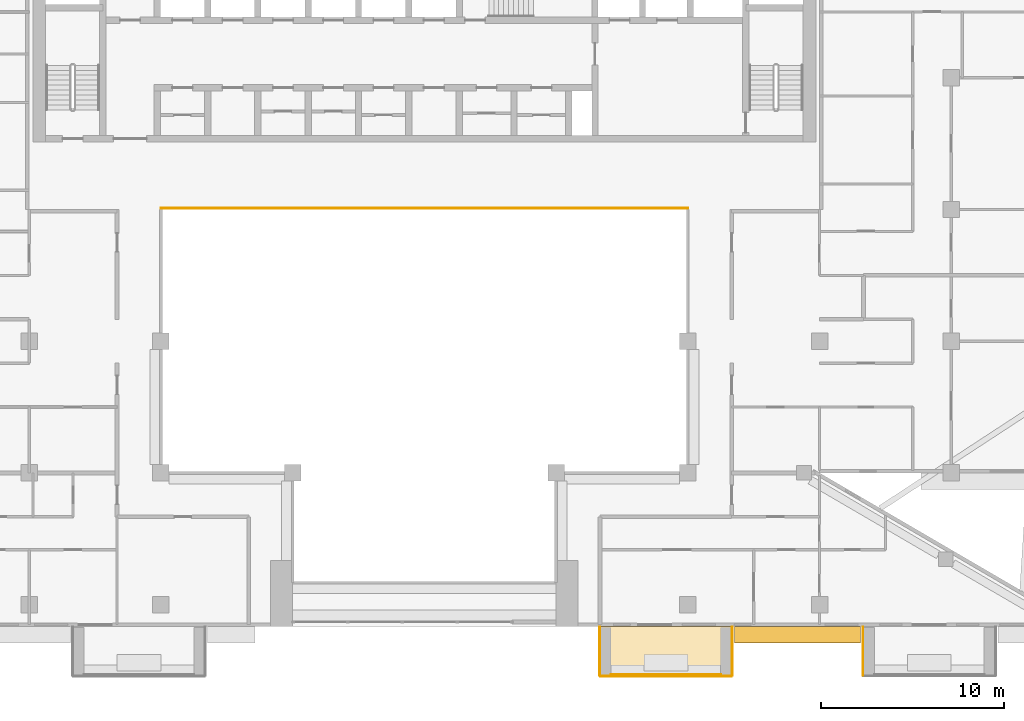
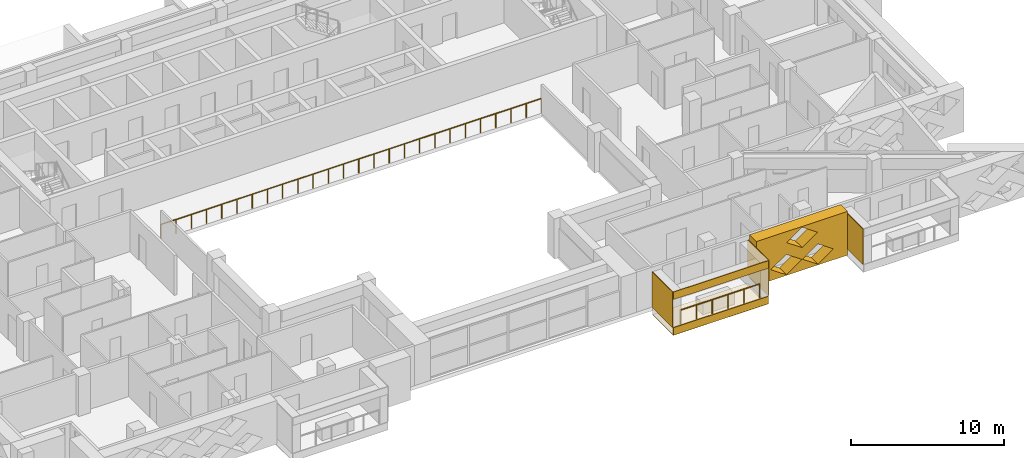
# One storey, part 16 of 20: 7 coverings, 2 railings.
"""IFC4 building model written with IfcOpenShell, lengths in metres."""

from ifc_helpers import new_model, si_unit, direction, frame, origin, origin_2d, place, context, subcontext, project, spatial, polyline, circle, outline, extrude, material, layer, layer_set, type_object, element, save


model = new_model("IFC4")

# Units and contexts
model_context = context("Model", 3, precision=1e-05, world=origin(), true_north=direction((0.0, 1.0)))
body_context = subcontext(model_context, "Body", "Model", "MODEL_VIEW")
ifc_project = project(units=[si_unit("LENGTHUNIT", "METRE"), si_unit("AREAUNIT", "SQUARE_METRE"), si_unit("VOLUMEUNIT", "CUBIC_METRE"), si_unit("PLANEANGLEUNIT", "RADIAN"), si_unit("MASSUNIT", "GRAM", prefix="KILO")], contexts=[model_context])

# Site, building, storey
site_placement = place(None, origin())
site = spatial("IfcSite", under=ifc_project, at=site_placement, CompositionType="ELEMENT")
building_placement = place(site_placement, origin())
building = spatial("IfcBuilding", under=site, at=building_placement, Name="Saffron Iwan Residences", CompositionType="ELEMENT")
storey_placement = place(building_placement, frame((0.0, 0.0, 174.5)))
storey = spatial("IfcBuildingStorey", under=building, at=storey_placement, Name="L46", CompositionType="ELEMENT", Elevation=174.5)

# Railings
ifc_material_1 = material(Name="Stainless steel 316", Category="steel")
railing_type_1 = type_object("IfcRailingType", Name="Atrium guard 1150", PredefinedType="GUARDRAIL", material=ifc_material_1)
railing_1_placement = place(storey_placement, frame((36.0, 62.47509765625, 0.0)))
element("IfcRailing", 1, at=railing_1_placement, inside=storey, type_object=railing_type_1, Name="Atrium guard L46", PredefinedType="GUARDRAIL", context=body_context, shape_type="SweptSolid", body=[
    extrude(circle(Radius=0.02392578125, at=origin_2d()), frame((0.0, 0.0, 1.1259765625), z_axis=(1.0, 0.0, 0.0), x_axis=(0.0, 1.0, 0.0)), (0.0, 0.0, 1.0), 28.800048828125),
    extrude(circle(Radius=0.02099609375, at=origin_2d()), origin(), (0.0, 0.0, 1.0), 1.101806640625),
    extrude(circle(Radius=0.02099609375, at=origin_2d()), frame((1.152099609375, 0.0, 0.0)), (0.0, 0.0, 1.0), 1.101806640625),
    extrude(circle(Radius=0.02099609375, at=origin_2d()), frame((2.303955078125, 0.0, 0.0)), (0.0, 0.0, 1.0), 1.101806640625),
    extrude(circle(Radius=0.02099609375, at=origin_2d()), frame((3.4560546875, 0.0, 0.0)), (0.0, 0.0, 1.0), 1.101806640625),
    extrude(circle(Radius=0.02099609375, at=origin_2d()), frame((4.60791015625, 0.0, 0.0)), (0.0, 0.0, 1.0), 1.101806640625),
    extrude(circle(Radius=0.02099609375, at=origin_2d()), frame((5.760009765625, 0.0, 0.0)), (0.0, 0.0, 1.0), 1.101806640625),
    extrude(circle(Radius=0.02099609375, at=origin_2d()), frame((6.912109375, 0.0, 0.0)), (0.0, 0.0, 1.0), 1.101806640625),
    extrude(circle(Radius=0.02099609375, at=origin_2d()), frame((8.06396484375, 0.0, 0.0)), (0.0, 0.0, 1.0), 1.101806640625),
    extrude(circle(Radius=0.02099609375, at=origin_2d()), frame((9.216064453125, 0.0, 0.0)), (0.0, 0.0, 1.0), 1.101806640625),
    extrude(circle(Radius=0.02099609375, at=origin_2d()), frame((10.367919921875, 0.0, 0.0)), (0.0, 0.0, 1.0), 1.101806640625),
    extrude(circle(Radius=0.02099609375, at=origin_2d()), frame((11.52001953125, 0.0, 0.0)), (0.0, 0.0, 1.0), 1.101806640625),
    extrude(circle(Radius=0.02099609375, at=origin_2d()), frame((12.672119140625, 0.0, 0.0)), (0.0, 0.0, 1.0), 1.101806640625),
    extrude(circle(Radius=0.02099609375, at=origin_2d()), frame((13.823974609375, 0.0, 0.0)), (0.0, 0.0, 1.0), 1.101806640625),
    extrude(circle(Radius=0.02099609375, at=origin_2d()), frame((14.97607421875, 0.0, 0.0)), (0.0, 0.0, 1.0), 1.101806640625),
    extrude(circle(Radius=0.02099609375, at=origin_2d()), frame((16.1279296875, 0.0, 0.0)), (0.0, 0.0, 1.0), 1.101806640625),
    extrude(circle(Radius=0.02099609375, at=origin_2d()), frame((17.280029296875, 0.0, 0.0)), (0.0, 0.0, 1.0), 1.101806640625),
    extrude(circle(Radius=0.02099609375, at=origin_2d()), frame((18.43212890625, 0.0, 0.0)), (0.0, 0.0, 1.0), 1.101806640625),
    extrude(circle(Radius=0.02099609375, at=origin_2d()), frame((19.583984375, 0.0, 0.0)), (0.0, 0.0, 1.0), 1.101806640625),
    extrude(circle(Radius=0.02099609375, at=origin_2d()), frame((20.736083984375, 0.0, 0.0)), (0.0, 0.0, 1.0), 1.101806640625),
    extrude(circle(Radius=0.02099609375, at=origin_2d()), frame((21.887939453125, 0.0, 0.0)), (0.0, 0.0, 1.0), 1.101806640625),
    extrude(circle(Radius=0.02099609375, at=origin_2d()), frame((23.0400390625, 0.0, 0.0)), (0.0, 0.0, 1.0), 1.101806640625),
    extrude(circle(Radius=0.02099609375, at=origin_2d()), frame((24.192138671875, 0.0, 0.0)), (0.0, 0.0, 1.0), 1.101806640625),
    extrude(circle(Radius=0.02099609375, at=origin_2d()), frame((25.343994140625, 0.0, 0.0)), (0.0, 0.0, 1.0), 1.101806640625),
    extrude(circle(Radius=0.02099609375, at=origin_2d()), frame((26.49609375, 0.0, 0.0)), (0.0, 0.0, 1.0), 1.101806640625),
    extrude(circle(Radius=0.02099609375, at=origin_2d()), frame((27.64794921875, 0.0, 0.0)), (0.0, 0.0, 1.0), 1.101806640625),
    extrude(circle(Radius=0.02099609375, at=origin_2d()), frame((28.800048828125, 0.0, 0.0)), (0.0, 0.0, 1.0), 1.101806640625),
])
railing_type_2 = type_object("IfcRailingType", Name="BALCONY GUARD 1150", PredefinedType="GUARDRAIL", material=ifc_material_1)
railing_2_placement = place(storey_placement, frame((60.60009765625, 36.97509765625, 0.0)))
element("IfcRailing", 2, at=railing_2_placement, inside=storey, type_object=railing_type_2, Name="Balcony guard L46 11-1", PredefinedType="GUARDRAIL", context=body_context, shape_type="SweptSolid", body=[
    extrude(circle(Radius=0.02392578125, at=origin_2d()), frame((0.0, 0.0, 1.1259765625), z_axis=(1.0, 0.0, 0.0), x_axis=(0.0, 1.0, 0.0)), (0.0, 0.0, 1.0), 6.0),
    extrude(circle(Radius=0.02099609375, at=origin_2d()), origin(), (0.0, 0.0, 1.0), 1.101806640625),
    extrude(circle(Radius=0.02099609375, at=origin_2d()), frame((1.199951171875, 0.0, 0.0)), (0.0, 0.0, 1.0), 1.101806640625),
    extrude(circle(Radius=0.02099609375, at=origin_2d()), frame((2.39990234375, 0.0, 0.0)), (0.0, 0.0, 1.0), 1.101806640625),
    extrude(circle(Radius=0.02099609375, at=origin_2d()), frame((3.60009765625, 0.0, 0.0)), (0.0, 0.0, 1.0), 1.101806640625),
    extrude(circle(Radius=0.02099609375, at=origin_2d()), frame((4.800048828125, 0.0, 0.0)), (0.0, 0.0, 1.0), 1.101806640625),
    extrude(circle(Radius=0.02099609375, at=origin_2d()), frame((6.0, 0.0, 0.0)), (0.0, 0.0, 1.0), 1.101806640625),
])

# Coverings
ifc_material_2 = material(Name="Precast concrete C40/50 white painted", Category="concrete")
ifc_layer = layer(ifc_material_2, 0.050048828125)
ifc_layer_set = layer_set([ifc_layer], Name="Precast concrete C40/50 white painted")
covering_type_1 = type_object("IfcCoveringType", Name="FRAME SKIN PRECAST WHITE 50", PredefinedType="CLADDING", material=ifc_layer_set)
for number, where, name in (
    (3, (0.0, 0.0, -0.60009765625), "Frame skin slab edge L46 11-1"),
    (4, (0.0, 0.0, 2.25), "Frame skin fascia L46 11-1"),
):
    element("IfcCovering", number, at=place(storey_placement, frame(where)), inside=storey, type_object=covering_type_1, Name=name, PredefinedType="CLADDING", context=body_context, shape_type="SweptSolid", body=[
        extrude(outline(polyline([(60.0, 36.85009765625), (67.199951171875, 36.85009765625), (67.199951171875, 36.89990234375), (60.0, 36.89990234375), (60.0, 36.85009765625)])), origin(), (0.0, 0.0, 1.0), 0.60009765625),
    ])
covering_1_placement = place(storey_placement, frame((0.0, 0.0, -0.64990234375)))
element("IfcCovering", 5, at=covering_1_placement, inside=storey, type_object=covering_type_1, Name="Frame skin soffit L46 11-1", PredefinedType="CLADDING", context=body_context, shape_type="SweptSolid", body=[
    extrude(outline(polyline([(60.0, 36.89990234375), (67.199951171875, 36.89990234375), (67.199951171875, 39.60009765625), (60.0, 39.60009765625), (60.0, 36.89990234375)])), origin(), (0.0, 0.0, 1.0), 0.0498046875),
])
covering_2_placement = place(storey_placement, origin())
element("IfcCovering", 6, at=covering_2_placement, inside=storey, type_object=covering_type_1, Name="Frame skin fin L46 11-1a", PredefinedType="CLADDING", context=body_context, shape_type="SweptSolid", body=[
    extrude(outline(polyline([(59.949951171875, 36.89990234375), (60.0, 36.89990234375), (60.0, 39.60009765625), (59.949951171875, 39.60009765625), (59.949951171875, 36.89990234375)])), origin(), (0.0, 0.0, 1.0), 2.85009765625),
])
covering_3_placement = place(storey_placement, origin())
element("IfcCovering", 7, at=covering_3_placement, inside=storey, type_object=covering_type_1, Name="Frame skin fin L46 11-1b", PredefinedType="CLADDING", context=body_context, shape_type="SweptSolid", body=[
    extrude(outline(polyline([(67.199951171875, 36.89990234375), (67.25, 36.89990234375), (67.25, 39.60009765625), (67.199951171875, 39.60009765625), (67.199951171875, 36.89990234375)])), origin(), (0.0, 0.0, 1.0), 2.85009765625),
])
covering_4_placement = place(storey_placement, origin())
element("IfcCovering", 8, at=covering_4_placement, inside=storey, type_object=covering_type_1, Name="Frame skin fin L46 11-2a", PredefinedType="CLADDING", context=body_context, shape_type="SweptSolid", body=[
    extrude(outline(polyline([(74.35009765625, 36.89990234375), (74.39990234375, 36.89990234375), (74.39990234375, 39.60009765625), (74.35009765625, 39.60009765625), (74.35009765625, 36.89990234375)])), origin(), (0.0, 0.0, 1.0), 2.85009765625),
])
ifc_material_3 = material(Name="Precast concrete C40/50", Category="concrete")
covering_type_2 = type_object("IfcCoveringType", Name="OUTER SKIN LATTICE SCREEN", PredefinedType="CLADDING", material=ifc_material_3)
covering_5_placement = place(storey_placement, frame((67.35009765625, 39.60009765625, -0.300048828125), z_axis=(0.0, -1.0, 0.0), x_axis=(1.0, 0.0, 0.0)))
element("IfcCovering", 9, at=covering_5_placement, inside=storey, type_object=covering_type_2, Name="OUTER SKIN lattice screen L46 F11.2", PredefinedType="CLADDING", context=body_context, shape_type="SweptSolid", body=[
    extrude(outline(polyline([(0.0, 0.0), (6.89990234375, 0.0), (6.89990234375, 3.5), (0.0, 3.5), (0.0, 0.0)]), holes=[polyline([(1.070068359375, 0.875), (2.25, 0.06005859375), (3.429931640625, 0.875), (2.25, 1.68994140625), (1.070068359375, 0.875)]), polyline([(3.469970703125, 0.875), (4.64990234375, 0.06005859375), (5.830078125, 0.875), (4.64990234375, 1.68994140625), (3.469970703125, 0.875)]), polyline([(2.27001953125, 2.625), (3.449951171875, 1.81005859375), (4.6298828125, 2.625), (3.449951171875, 3.43994140625), (2.27001953125, 2.625)])]), origin(), (0.0, 0.0, 1.0), 0.900146484375),
])

save(model, "model.ifc")
